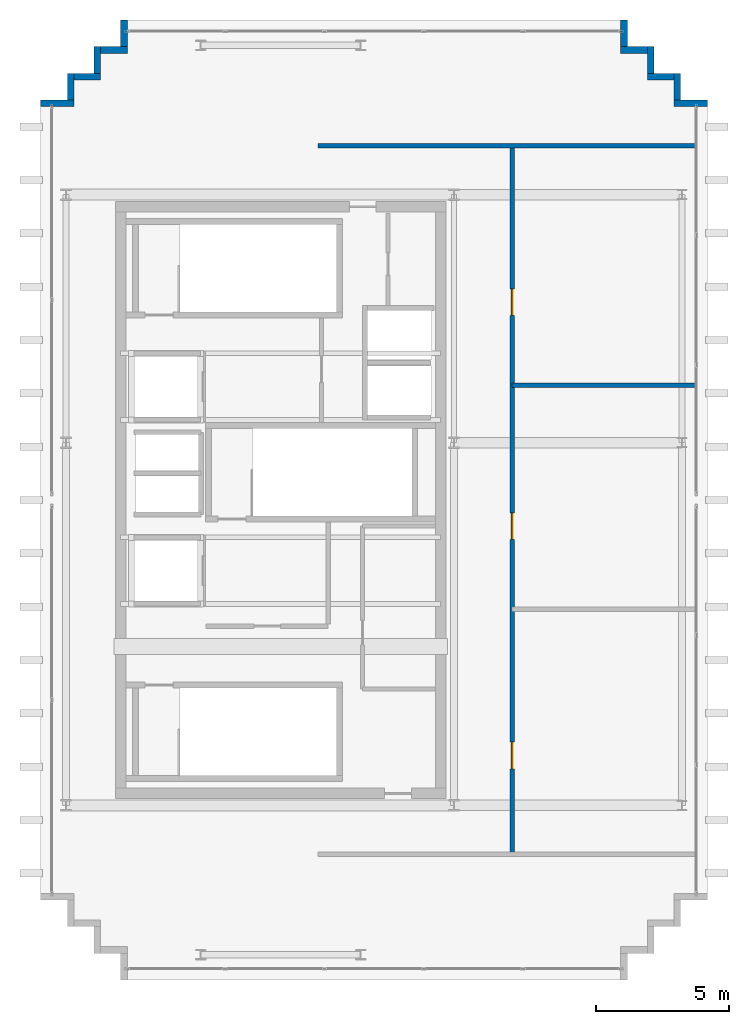
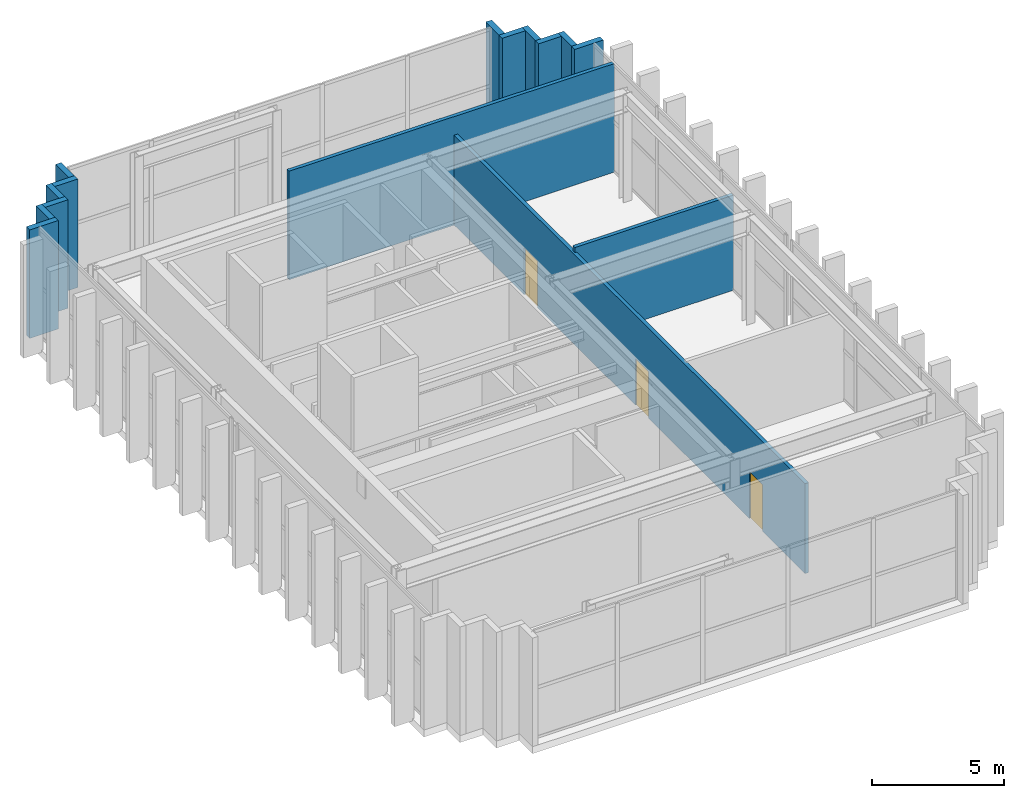
# One storey, part 13 of 14: 15 walls, 3 doors, 3 openings.
"""IFC4 building model written with IfcOpenShell, lengths in metres."""

from ifc_helpers import new_model, si_unit, direction, frame, frame_2d, origin, place, context, subcontext, project, spatial, rectangle, extrude, source, transform, mapped, material, layer, layer_set, type_object, element, fill, save


model = new_model("IFC4")

# Units and contexts
model_context = context("Model", 3, precision=1e-05, world=origin(), true_north=direction((0.0, 1.0)))
body_context = subcontext(model_context, "Body", "Model", "MODEL_VIEW")
ifc_project = project(units=[si_unit("LENGTHUNIT", "METRE"), si_unit("AREAUNIT", "SQUARE_METRE"), si_unit("VOLUMEUNIT", "CUBIC_METRE"), si_unit("PLANEANGLEUNIT", "RADIAN"), si_unit("MASSUNIT", "GRAM", prefix="KILO")], contexts=[model_context])

# Site, building, storey
site_placement = place(None, origin())
site = spatial("IfcSite", under=ifc_project, at=site_placement, CompositionType="ELEMENT")
building_placement = place(site_placement, origin())
building = spatial("IfcBuilding", under=site, at=building_placement, Name="Ocotamira Hotel", CompositionType="ELEMENT")
storey_placement = place(building_placement, frame((0.0, 0.0, 309.60009765625)))
storey = spatial("IfcBuildingStorey", under=building, at=storey_placement, Name="L79", CompositionType="ELEMENT", Elevation=309.60009765625)

# Walls
ifc_material_1 = material(Name="Precast concrete C45/55", Category="concrete")
ifc_layer_1 = layer(ifc_material_1, 0.25)
ifc_layer_set_1 = layer_set([ifc_layer_1], Name="Precast concrete C45/55")
wall_type_1 = type_object("IfcWallType", Name="WL-EXT-SER-250", PredefinedType="SOLIDWALL", material=ifc_layer_set_1)
wall_1_placement = place(storey_placement, frame((33.0, 40.875, 0.0), z_axis=(0.0, 0.0, 1.0), x_axis=(-1.0, 0.0, 0.0)))
element("IfcWall", 1, at=wall_1_placement, inside=storey, type_object=wall_type_1, Name="L79 Serrated Corner Wall 07", PredefinedType="SOLIDWALL", context=body_context, shape_type="SweptSolid", body=[
    extrude(rectangle(XDim=1.25, YDim=0.25, at=frame_2d((0.625, 0.0))), origin(), (0.0, 0.0, 1.0), 5.0),
])
for number, where, z_axis, x_axis, name in (
    (2, (31.875, 41.0, 0.0), (0.0, 0.0, 1.0), (0.0, 1.0, 0.0), "L79 Serrated Corner Wall 08"),
    (3, (31.75, 41.875, 0.0), (0.0, 0.0, 1.0), (-1.0, 0.0, 0.0), "L79 Serrated Corner Wall 09"),
    (4, (30.875, 42.0, 0.0), (0.0, 0.0, 1.0), (0.0, 1.0, 0.0), "L79 Serrated Corner Wall 10"),
    (5, (30.75, 42.875, 0.0), (0.0, 0.0, 1.0), (-1.0, 0.0, 0.0), "L79 Serrated Corner Wall 11"),
    (6, (29.875, 43.0, 0.0), (0.0, 0.0, 1.0), (0.0, 1.0, 0.0), "L79 Serrated Corner Wall 12"),
    (7, (11.125, 44.0, 0.0), (0.0, 0.0, 1.0), (0.0, -1.0, 0.0), "L79 Serrated Corner Wall 13"),
    (8, (11.25, 42.875, 0.0), (0.0, 0.0, 1.0), (-1.0, 0.0, 0.0), "L79 Serrated Corner Wall 14"),
    (9, (10.125, 43.0, 0.0), (0.0, 0.0, 1.0), (0.0, -1.0, 0.0), "L79 Serrated Corner Wall 15"),
    (10, (10.25, 41.875, 0.0), (0.0, 0.0, 1.0), (-1.0, 0.0, 0.0), "L79 Serrated Corner Wall 16"),
    (11, (9.125, 42.0, 0.0), (0.0, 0.0, 1.0), (0.0, -1.0, 0.0), "L79 Serrated Corner Wall 17"),
):
    element("IfcWall", number, at=place(storey_placement, frame(where, z_axis=z_axis, x_axis=x_axis)), inside=storey, type_object=wall_type_1, Name=name, PredefinedType="SOLIDWALL", context=body_context, shape_type="SweptSolid", body=[
        extrude(rectangle(XDim=1.0, YDim=0.25, at=frame_2d((0.5, 0.0))), origin(), (0.0, 0.0, 1.0), 5.0),
    ])
wall_2_placement = place(storey_placement, frame((9.25, 40.875, 0.0), z_axis=(0.0, 0.0, 1.0), x_axis=(-1.0, 0.0, 0.0)))
element("IfcWall", 12, at=wall_2_placement, inside=storey, type_object=wall_type_1, Name="L79 Serrated Corner Wall 18", PredefinedType="SOLIDWALL", context=body_context, shape_type="SweptSolid", body=[
    extrude(rectangle(XDim=1.25, YDim=0.25, at=frame_2d((0.625, 0.0))), origin(), (0.0, 0.0, 1.0), 5.0),
])
ifc_material_2 = material(Name="Acoustic double-layer fire gypsum board partition", Category="gypsum")
ifc_layer_2 = layer(ifc_material_2, 0.159912109375)
ifc_layer_set_2 = layer_set([ifc_layer_2], Name="Acoustic double-layer fire gypsum board partition")
wall_type_2 = type_object("IfcWallType", Name="WL-FIRE-160", PredefinedType="PARTITIONING", material=ifc_layer_set_2)
wall_3_placement = place(storey_placement, frame((18.39990234375, 39.280029296875, 0.0), z_axis=(0.0, 0.0, 1.0), x_axis=(1.0, 0.0, 0.0)))
element("IfcWall", 13, at=wall_3_placement, inside=storey, type_object=wall_type_2, Name="L79 Interior Wall PW-L79-L79-CN", PredefinedType="PARTITIONING", context=body_context, shape_type="SweptSolid", body=[
    extrude(rectangle(XDim=14.18017578125, YDim=0.159912109375, at=frame_2d((7.090087890625, 0.0))), origin(), (0.0, 0.0, 1.0), 5.0),
])

# Wall, openings, doors
wall_4_placement = place(storey_placement, frame((25.679931640625, 12.719970703125, 0.0), z_axis=(0.0, 0.0, 1.0), x_axis=(0.0, 1.0, 0.0)))
wall_4 = element("IfcWall", 14, at=wall_4_placement, inside=storey, type_object=wall_type_2, Name="L79 Interior Wall PW-L79-L79-CW", PredefinedType="PARTITIONING", context=body_context, shape_type="SweptSolid", body=[
    extrude(rectangle(XDim=26.56005859375, YDim=0.159912109375, at=frame_2d((13.280029296875, 0.0))), origin(), (0.0, 0.0, 1.0), 4.143798828125),
])
opening_1_placement = place(wall_4_placement, frame((3.199951171875, 0.0, 0.0)))
opening_1 = element("IfcOpeningElement", 15, at=opening_1_placement, cuts=wall_4, Name="Opening D-FR2", PredefinedType="OPENING", context=body_context, shape_type="SweptSolid", body=[
    extrude(rectangle(XDim=1.0, YDim=2.14990234375, at=frame_2d((0.5, 1.074951171875))), frame((0.0, 0.08984375, 0.0), z_axis=(0.0, -1.0, 0.0), x_axis=(1.0, 0.0, 0.0)), (0.0, 0.0, 1.0), 0.179931640625),
])
opening_2_placement = place(wall_4_placement, frame((11.800048828125, 0.0, 0.0)))
opening_2 = element("IfcOpeningElement", 16, at=opening_2_placement, cuts=wall_4, Name="Opening D-FR2", PredefinedType="OPENING", context=body_context, shape_type="SweptSolid", body=[
    extrude(rectangle(XDim=1.0, YDim=2.14990234375, at=frame_2d((0.5, 1.074951171875))), frame((0.0, 0.08984375, 0.0), z_axis=(0.0, -1.0, 0.0), x_axis=(1.0, 0.0, 0.0)), (0.0, 0.0, 1.0), 0.179931640625),
])
opening_3_placement = place(wall_4_placement, frame((20.199951171875, 0.0, 0.0)))
opening_3 = element("IfcOpeningElement", 17, at=opening_3_placement, cuts=wall_4, Name="Opening D-FR2", PredefinedType="OPENING", context=body_context, shape_type="SweptSolid", body=[
    extrude(rectangle(XDim=1.0, YDim=2.14990234375, at=frame_2d((0.5, 1.074951171875))), frame((0.0, 0.08984375, 0.0), z_axis=(0.0, -1.0, 0.0), x_axis=(1.0, 0.0, 0.0)), (0.0, 0.0, 1.0), 0.179931640625),
])
ifc_material_3 = material(Name="Fire-rated acoustic timber-veneer door", Category="wood")
door_type = type_object("IfcDoorType", Name="DR-FIRE-1000", OperationType="NOTDEFINED", PredefinedType="DOOR", material=ifc_material_3)
shared_shape = source(origin(), body_context, "Body", "SweptSolid", [
    extrude(rectangle(XDim=1.0, YDim=2.14990234375, at=frame_2d((0.5, 1.074951171875))), frame((0.0, 0.02490234375, 0.0), z_axis=(0.0, -1.0, 0.0), x_axis=(1.0, 0.0, 0.0)), (0.0, 0.0, 1.0), 0.050048828125),
])
door_1_placement = place(opening_1_placement, origin())
door_1 = element("IfcDoor", 18, at=door_1_placement, inside=storey, type_object=door_type, Name="L79 Door ID-L79-L79-CD1 [ID-L79-L79-CD1]", OperationType="SINGLE_SWING_LEFT", OverallHeight=2.14990234375, OverallWidth=1.0, PredefinedType="DOOR", context=body_context, shape_type="MappedRepresentation", body=[
    mapped(shared_shape, transform((0.0, 0.0, 0.0), scale=1.0)),
])
fill(opening_1, door_1)
door_2_placement = place(opening_2_placement, origin())
door_2 = element("IfcDoor", 19, at=door_2_placement, inside=storey, type_object=door_type, Name="L79 Door ID-L79-L79-CD2 [ID-L79-L79-CD2]", OperationType="SINGLE_SWING_RIGHT", OverallHeight=2.14990234375, OverallWidth=1.0, PredefinedType="DOOR", context=body_context, shape_type="MappedRepresentation", body=[
    mapped(shared_shape, transform((0.0, 0.0, 0.0), scale=1.0)),
])
fill(opening_2, door_2)
door_3_placement = place(opening_3_placement, origin())
door_3 = element("IfcDoor", 20, at=door_3_placement, inside=storey, type_object=door_type, Name="L79 Door ID-L79-L79-CD3 [ID-L79-L79-CD3]", OperationType="SINGLE_SWING_LEFT", OverallHeight=2.14990234375, OverallWidth=1.0, PredefinedType="DOOR", context=body_context, shape_type="MappedRepresentation", body=[
    mapped(shared_shape, transform((0.0, 0.0, 0.0), scale=1.0)),
])
fill(opening_3, door_3)

# Wall
wall_5_placement = place(storey_placement, frame((25.679931640625, 30.300048828125, 0.0), z_axis=(0.0, 0.0, 1.0), x_axis=(1.0, 0.0, 0.0)))
element("IfcWall", 21, at=wall_5_placement, inside=storey, type_object=wall_type_2, Name="L79 Interior Wall PW-L79-L79-D2", PredefinedType="PARTITIONING", context=body_context, shape_type="SweptSolid", body=[
    extrude(rectangle(XDim=6.900146484375, YDim=0.159912109375, at=frame_2d((3.4501953125, 0.0))), origin(), (0.0, 0.0, 1.0), 4.3828125),
])

save(model, "model.ifc")
